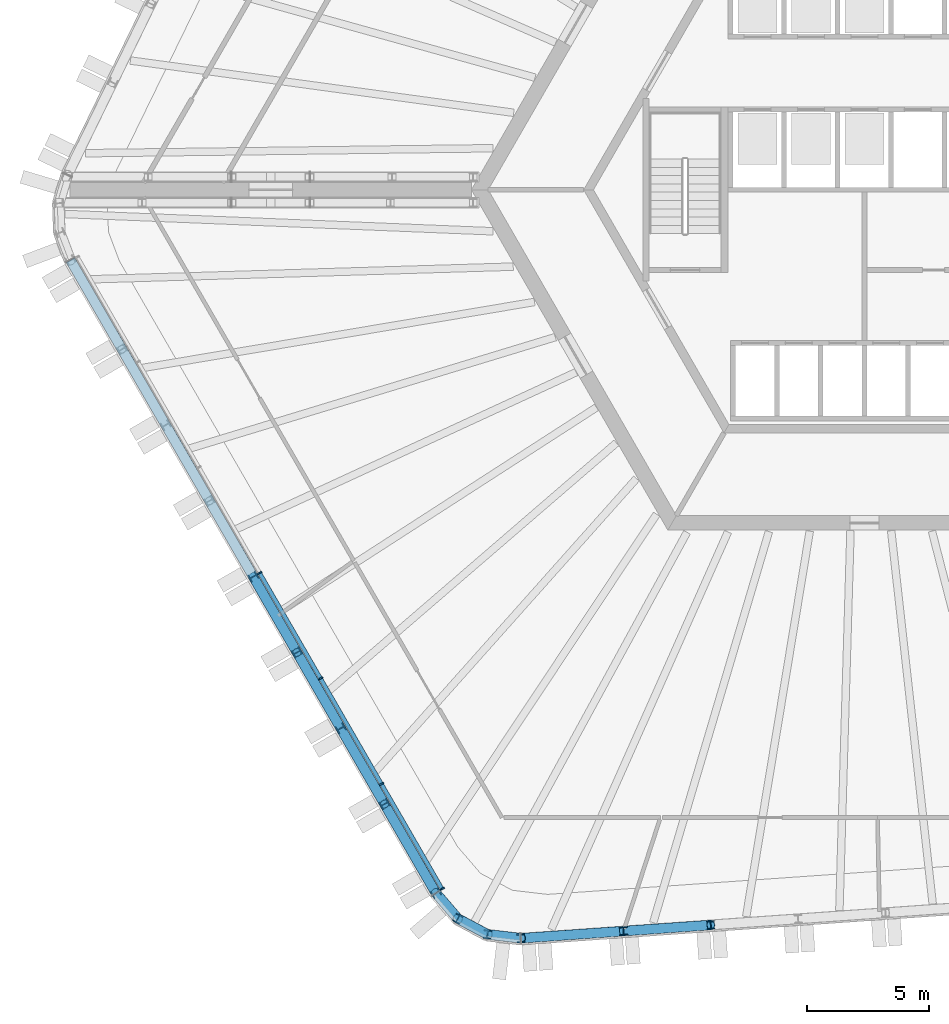
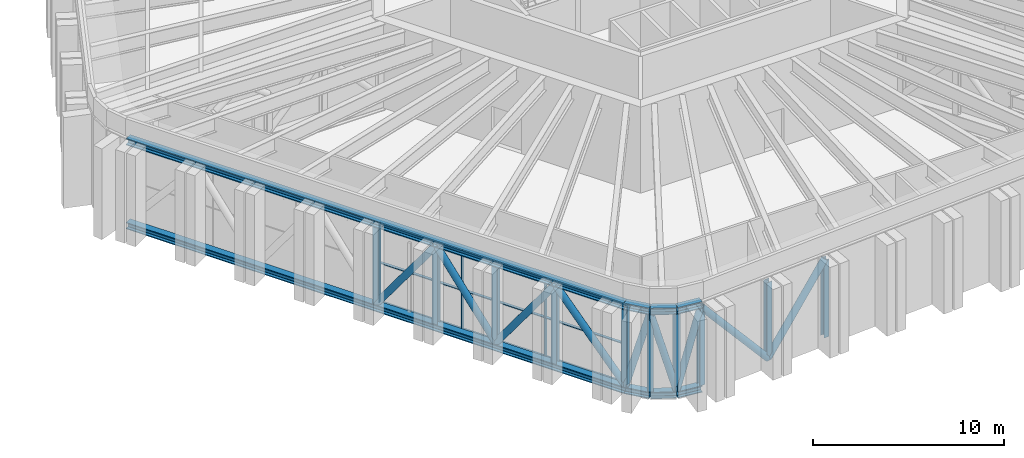
# One storey, part 1 of 27: 40 members, 1 element without a shape of its own.
"""IFC4 building model written with IfcOpenShell, lengths in metres."""

import ifcopenshell
import ifcopenshell.guid

model = None  # the IFC model being written
_history = None  # IfcOwnerHistory: only IFC2X3 demands one
_inside = {}  # id of a spatial element -> (the spatial element, [elements in it])
_under = {}  # id of a project, library or spatial element -> (it, [spatial elements below it])
_declared = {}  # id of a project -> (the project, [libraries it declares])
_typed = {}  # id of a type object -> (the type object, [elements of that type])
_made_of = {}  # id of a material, layer set ... -> (it, [elements and type objects made of it])


def new_model(schema):
    """Start an empty IFC model of exactly this schema.

    Asked for "IFC4X3", IfcOpenShell would pick the latest addendum, in which some entities
    have other attributes; the version numbers below select the first issue.
    IFC2X3 requires an IfcOwnerHistory on every rooted entity: one is made here for all.
    """
    global model, _history
    if schema == "IFC4X3":
        model = ifcopenshell.file(schema_version=(4, 3, 0, 0))
    else:
        model = ifcopenshell.file(schema=schema)
    _inside.clear()
    _under.clear()
    _declared.clear()
    _typed.clear()
    _made_of.clear()
    _history = None
    if model.schema == "IFC2X3":
        org = make("IfcOrganization", Name="unknown")
        user = make(
            "IfcPersonAndOrganization",
            ThePerson=make("IfcPerson", FamilyName="unknown"),
            TheOrganization=org,
        )
        app = make(
            "IfcApplication",
            ApplicationDeveloper=org,
            Version="unknown",
            ApplicationFullName="unknown",
            ApplicationIdentifier="unknown",
        )
        _history = make(
            "IfcOwnerHistory",
            OwningUser=user,
            OwningApplication=app,
            ChangeAction="ADDED",
            CreationDate=0,
        )
    return model


def make(cls, **values):
    """One entity of the class cls with the attributes given. An attribute that is None is left unset."""
    return model.create_entity(
        cls, **{name: value for name, value in values.items() if value is not None}
    )


def rooted(cls, **values):
    """An entity with a GlobalId (a new one), such as an element, a storey or a relation."""
    return make(cls, GlobalId=ifcopenshell.guid.new(), OwnerHistory=_history, **values)


def si_unit(unit_type, name, prefix=None):
    """IfcSIUnit, for example si_unit("LENGTHUNIT", "METRE", prefix="MILLI")."""
    return make("IfcSIUnit", UnitType=unit_type, Prefix=prefix, Name=name)


def assignment(units):
    """IfcUnitAssignment: the units of a project."""
    return None if units is None else make("IfcUnitAssignment", Units=units)


def point(xyz):
    """IfcCartesianPoint."""
    return None if xyz is None else make("IfcCartesianPoint", Coordinates=xyz)


def direction(xyz):
    """IfcDirection."""
    return None if xyz is None else make("IfcDirection", DirectionRatios=xyz)


def frame(location, z_axis=None, x_axis=None):
    """IfcAxis2Placement3D, a coordinate frame: its origin and axes. An axis left out is left unset."""
    return make(
        "IfcAxis2Placement3D",
        Location=point(location),
        Axis=direction(z_axis),
        RefDirection=direction(x_axis),
    )


def frame_2d(location, x_axis=None):
    """IfcAxis2Placement2D, a coordinate frame in the plane: its origin and x axis."""
    return make(
        "IfcAxis2Placement2D", Location=point(location), RefDirection=direction(x_axis)
    )


def origin():
    """The frame at (0, 0, 0) with its axes left unset."""
    return frame((0.0, 0.0, 0.0))


def origin_2d():
    """The frame at (0, 0) in the plane with its x axis left unset."""
    return frame_2d((0.0, 0.0))


def place(relative_to, where):
    """IfcLocalPlacement: puts the frame where relative to a parent placement (None: the world)."""
    return make(
        "IfcLocalPlacement", PlacementRelTo=relative_to, RelativePlacement=where
    )


def context(
    kind, dimensions, precision=None, world=None, true_north=None, identifier=None
):
    """IfcGeometricRepresentationContext, for example the 3D "Model" context."""
    return make(
        "IfcGeometricRepresentationContext",
        ContextIdentifier=identifier,
        ContextType=kind,
        CoordinateSpaceDimension=dimensions,
        Precision=precision,
        WorldCoordinateSystem=world,
        TrueNorth=true_north,
    )


def subcontext(parent, identifier, kind, view, scale=None):
    """IfcGeometricRepresentationSubContext, for example "Body" below "Model"."""
    return make(
        "IfcGeometricRepresentationSubContext",
        ContextIdentifier=identifier,
        ContextType=kind,
        ParentContext=parent,
        TargetScale=scale,
        TargetView=view,
    )


def project(units=None, contexts=None):
    """IfcProject with its units and contexts."""
    return rooted(
        "IfcProject",
        Name="project",
        RepresentationContexts=contexts,
        UnitsInContext=assignment(units),
    )


def spatial(cls, under=None, at=None, **own):
    """A site, building, storey or space (cls), placed at a placement, below another one or the project."""
    s = rooted(cls, ObjectPlacement=at, **own)
    if under is not None:
        _under.setdefault(under.id(), (under, []))[1].append(s)
    return s


def profile(cls, at=None, kind="AREA", **sizes):
    """A parametric profile (cls). Its sizes go by their IFC names, for example OverallWidth=200.0."""
    return make(cls, ProfileType=kind, Position=at, **sizes)


def rectangle(**sizes):
    """IfcRectangleProfileDef."""
    return profile("IfcRectangleProfileDef", **sizes)


def hollow_circle(**sizes):
    """IfcCircleHollowProfileDef."""
    return profile("IfcCircleHollowProfileDef", **sizes)


def i_section(**sizes):
    """IfcIShapeProfileDef."""
    return profile("IfcIShapeProfileDef", **sizes)


def extrude(swept, where, along, depth):
    """IfcExtrudedAreaSolid: the profile swept, set in the frame where, extruded along a direction by depth."""
    return make(
        "IfcExtrudedAreaSolid",
        SweptArea=swept,
        Position=where,
        ExtrudedDirection=direction(along),
        Depth=depth,
    )


def shape(context_of_items, identifier, shape_type, items):
    """IfcShapeRepresentation: the items that make up one representation, for example the "Body"."""
    return make(
        "IfcShapeRepresentation",
        ContextOfItems=context_of_items,
        RepresentationIdentifier=identifier,
        RepresentationType=shape_type,
        Items=items,
    )


def material(Name=None, Category=None):
    """IfcMaterial."""
    return make("IfcMaterial", Name=Name, Category=Category)


def material_profile(
    of_material, cross_section, Name=None, Category=None, Priority=None
):
    """IfcMaterialProfile: a cross section and its material."""
    return make(
        "IfcMaterialProfile",
        Name=Name,
        Material=of_material,
        Profile=cross_section,
        Priority=Priority,
        Category=Category,
    )


def profile_set(profiles, Name=None, composite=None):
    """IfcMaterialProfileSet."""
    return make(
        "IfcMaterialProfileSet",
        Name=Name,
        MaterialProfiles=profiles,
        CompositeProfile=composite,
    )


def made_of(thing, what):
    """Note that an element or type object is made of a material, layer set ...; save() writes the relation."""
    if what is not None:
        _made_of.setdefault(what.id(), (what, []))[1].append(thing)
    return thing


def type_object(cls, material=None, **own):
    """A type object (cls), such as IfcWallType, which elements share."""
    return made_of(rooted(cls, **own), material)


def element(
    cls,
    number,
    at=None,
    inside=None,
    cuts=None,
    type_object=None,
    material=None,
    context=None,
    identifier="Body",
    shape_type=None,
    held_by="IfcProductDefinitionShape",
    body=None,
    shapes=None,
    **own,
):
    """One element of the class cls, such as IfcWall. Its Tag is "e" and its number.

    at: its placement. inside: the storey or other place that contains it. cuts: it is an
    opening in that element (IfcRelVoidsElement). A single representation is given by context,
    identifier, shape_type and body (its items); several are given by shapes. held_by: the class
    of the entity that holds the representations. save() writes the other relations.
    """
    e = rooted(cls, Tag="e%d" % number, ObjectPlacement=at, **own)
    if body is not None:
        shapes = [shape(context, identifier, shape_type, body)]
    if shapes is not None:
        e.Representation = make(held_by, Representations=shapes)
    if inside is not None:
        _inside.setdefault(inside.id(), (inside, []))[1].append(e)
    if cuts is not None:
        rooted(
            "IfcRelVoidsElement", RelatingBuildingElement=cuts, RelatedOpeningElement=e
        )
    if type_object is not None:
        _typed.setdefault(type_object.id(), (type_object, []))[1].append(e)
    return made_of(e, material)


def aggregate(whole, parts):
    """IfcRelAggregates: a whole, such as a stair, and the parts it consists of."""
    return rooted("IfcRelAggregates", RelatingObject=whole, RelatedObjects=parts)


def save(model, path):
    """Write the relations noted so far, then the file.

    IfcRelAggregates (storeys below a building ...), IfcRelContainedInSpatialStructure (elements
    in a storey), IfcRelDefinesByType, IfcRelAssociatesMaterial and IfcRelDeclares: one each for
    every whole, place, type object, material and project.
    """
    for whole, parts in _under.values():
        aggregate(whole, parts)
    for where, things in _inside.values():
        rooted(
            "IfcRelContainedInSpatialStructure",
            RelatedElements=things,
            RelatingStructure=where,
        )
    for kind, things in _typed.values():
        rooted("IfcRelDefinesByType", RelatedObjects=things, RelatingType=kind)
    for what, things in _made_of.values():
        rooted("IfcRelAssociatesMaterial", RelatedObjects=things, RelatingMaterial=what)
    for by, libraries in _declared.values():
        rooted("IfcRelDeclares", RelatingContext=by, RelatedDefinitions=libraries)
    model.write(path)


model = new_model("IFC4")

# Units and contexts
model_context = context("Model", 3, precision=1e-05, world=origin(), true_north=direction((0.0, 1.0)))
body_context = subcontext(model_context, "Body", "Model", "MODEL_VIEW")
ifc_project = project(units=[si_unit("LENGTHUNIT", "METRE"), si_unit("AREAUNIT", "SQUARE_METRE"), si_unit("VOLUMEUNIT", "CUBIC_METRE"), si_unit("PLANEANGLEUNIT", "RADIAN"), si_unit("MASSUNIT", "GRAM", prefix="KILO")], contexts=[model_context])

# Site, building, storey
site_placement = place(None, origin())
site = spatial("IfcSite", under=ifc_project, at=site_placement, CompositionType="ELEMENT")
building_placement = place(site_placement, origin())
building = spatial("IfcBuilding", under=site, at=building_placement, Name="Tarnside Tower", CompositionType="ELEMENT")
storey_placement = place(building_placement, frame((0.0, 0.0, 146.699951171875)))
storey = spatial("IfcBuildingStorey", under=building, at=storey_placement, Name="L34", CompositionType="ELEMENT", Elevation=146.699951171875)

# Curtain wall, members
ifc_material_1 = material(Name="Sky lobby glazing wall", Category="glass")
curtain_wall_type = type_object("IfcCurtainWallType", Name="Sky lobby glazing wall", PredefinedType="NOTDEFINED", material=ifc_material_1)
curtain_wall_placement = place(storey_placement, origin())
curtain_wall = element("IfcCurtainWall", 1, at=curtain_wall_placement, inside=storey, type_object=curtain_wall_type, Name="Sky lobby glazing L34 F3", PredefinedType="NOTDEFINED")
ifc_material_2 = material(Name="Aluminium alloy 6063", Category="aluminium")
ifc_material_profile_1 = material_profile(ifc_material_2, rectangle(XDim=0.199951171875, YDim=0.06005859375, at=origin_2d()), Name="Sky lobby glazing mullion 60 x 200")
ifc_profile_set_1 = profile_set([ifc_material_profile_1], Name="Aluminium alloy 6063")
member_type_1 = type_object("IfcMemberType", Name="Sky lobby glazing mullion 60 x 200", PredefinedType="MULLION", material=ifc_profile_set_1)
member_1_placement = place(storey_placement, frame((-24.8720703125, -15.75830078125, 0.0), z_axis=(0.0, 0.0, 1.0), x_axis=(0.866025403793, 0.499999999985, 0.0)))
member_1 = element("IfcMember", 2, at=member_1_placement, type_object=member_type_1, Name="CW4 mullion 4", PredefinedType="MULLION", context=body_context, shape_type="SweptSolid", body=[
    extrude(rectangle(XDim=0.199951171875, YDim=0.06005859375, at=origin_2d()), origin(), (0.0, 0.0, 1.0), 5.0634765625),
])
member_2_placement = place(storey_placement, frame((-22.365966796875, -20.0986328125, 0.0), z_axis=(0.0, 0.0, 1.0), x_axis=(0.866025403793, 0.499999999985, 0.0)))
member_2 = element("IfcMember", 3, at=member_2_placement, type_object=member_type_1, Name="CW4 mullion 5", PredefinedType="MULLION", context=body_context, shape_type="SweptSolid", body=[
    extrude(rectangle(XDim=0.199951171875, YDim=0.06005859375, at=origin_2d()), origin(), (0.0, 0.0, 1.0), 5.0634765625),
])
member_3_placement = place(storey_placement, frame((-19.860107421875, -24.43896484375, 0.0), z_axis=(0.0, 0.0, 1.0), x_axis=(0.866025403793, 0.499999999985, 0.0)))
member_3 = element("IfcMember", 4, at=member_3_placement, type_object=member_type_1, Name="CW4 mullion 6", PredefinedType="MULLION", context=body_context, shape_type="SweptSolid", body=[
    extrude(rectangle(XDim=0.199951171875, YDim=0.06005859375, at=origin_2d()), origin(), (0.0, 0.0, 1.0), 5.0634765625),
])
member_4_placement = place(storey_placement, frame((-17.369140625, -28.75341796875, 0.0), z_axis=(0.0, 0.0, 1.0), x_axis=(0.866025403793, 0.499999999985, 0.0)))
member_4 = element("IfcMember", 5, at=member_4_placement, type_object=member_type_1, Name="CW4 mullion 7", PredefinedType="MULLION", context=body_context, shape_type="SweptSolid", body=[
    extrude(rectangle(XDim=0.199951171875, YDim=0.06005859375, at=origin_2d()), origin(), (0.0, 0.0, 1.0), 5.0634765625),
])
ifc_material_profile_2 = material_profile(ifc_material_2, rectangle(XDim=0.159912109375, YDim=0.06005859375, at=origin_2d()), Name="Sky lobby glazing transom 60 x 160")
ifc_profile_set_2 = profile_set([ifc_material_profile_2], Name="Aluminium alloy 6063")
member_type_2 = type_object("IfcMemberType", Name="Sky lobby glazing transom 60 x 160", PredefinedType="USERDEFINED", material=ifc_profile_set_2)
member_5_placement = place(storey_placement, frame((-24.85693359375, -15.7841796875, 0.030029296875), z_axis=(0.499972828297, -0.866041090806, 0.0), x_axis=(0.866041090806, 0.499972828297, 0.0)))
member_5 = element("IfcMember", 6, at=member_5_placement, type_object=member_type_2, Name="CW4 transom 4.1", ObjectType="TRANSOM", PredefinedType="USERDEFINED", context=body_context, shape_type="SweptSolid", body=[
    extrude(rectangle(XDim=0.159912109375, YDim=0.06005859375, at=origin_2d()), origin(), (0.0, 0.0, 1.0), 4.951904296875),
])
member_6_placement = place(storey_placement, frame((-24.85693359375, -15.7841796875, 2.53173828125), z_axis=(0.499972828297, -0.866041090806, 0.0), x_axis=(0.866041090806, 0.499972828297, 0.0)))
member_6 = element("IfcMember", 7, at=member_6_placement, type_object=member_type_2, Name="CW4 transom 4.2", ObjectType="TRANSOM", PredefinedType="USERDEFINED", context=body_context, shape_type="SweptSolid", body=[
    extrude(rectangle(XDim=0.159912109375, YDim=0.06005859375, at=origin_2d()), origin(), (0.0, 0.0, 1.0), 4.951904296875),
])
member_7_placement = place(storey_placement, frame((-24.85693359375, -15.7841796875, 5.033447265625), z_axis=(0.499972828297, -0.866041090806, 0.0), x_axis=(0.866041090806, 0.499972828297, 0.0)))
member_7 = element("IfcMember", 8, at=member_7_placement, type_object=member_type_2, Name="CW4 transom 4.3", ObjectType="TRANSOM", PredefinedType="USERDEFINED", context=body_context, shape_type="SweptSolid", body=[
    extrude(rectangle(XDim=0.159912109375, YDim=0.06005859375, at=origin_2d()), origin(), (0.0, 0.0, 1.0), 4.951904296875),
])
member_8_placement = place(storey_placement, frame((-22.35107421875, -20.124755859375, 0.030029296875), z_axis=(0.499994176729, -0.866028765826, 0.0), x_axis=(0.866028765826, 0.499994176729, 0.0)))
member_8 = element("IfcMember", 9, at=member_8_placement, type_object=member_type_2, Name="CW4 transom 5.1", ObjectType="TRANSOM", PredefinedType="USERDEFINED", context=body_context, shape_type="SweptSolid", body=[
    extrude(rectangle(XDim=0.159912109375, YDim=0.06005859375, at=origin_2d()), origin(), (0.0, 0.0, 1.0), 4.95166015625),
])
member_9_placement = place(storey_placement, frame((-22.35107421875, -20.124755859375, 2.53173828125), z_axis=(0.499994176729, -0.866028765826, 0.0), x_axis=(0.866028765826, 0.499994176729, 0.0)))
member_9 = element("IfcMember", 10, at=member_9_placement, type_object=member_type_2, Name="CW4 transom 5.2", ObjectType="TRANSOM", PredefinedType="USERDEFINED", context=body_context, shape_type="SweptSolid", body=[
    extrude(rectangle(XDim=0.159912109375, YDim=0.06005859375, at=origin_2d()), origin(), (0.0, 0.0, 1.0), 4.95166015625),
])
member_10_placement = place(storey_placement, frame((-22.35107421875, -20.124755859375, 5.033447265625), z_axis=(0.499994176729, -0.866028765826, 0.0), x_axis=(0.866028765826, 0.499994176729, 0.0)))
member_10 = element("IfcMember", 11, at=member_10_placement, type_object=member_type_2, Name="CW4 transom 5.3", ObjectType="TRANSOM", PredefinedType="USERDEFINED", context=body_context, shape_type="SweptSolid", body=[
    extrude(rectangle(XDim=0.159912109375, YDim=0.06005859375, at=origin_2d()), origin(), (0.0, 0.0, 1.0), 4.95166015625),
])
member_11_placement = place(storey_placement, frame((-19.84521484375, -24.465087890625, 0.030029296875), z_axis=(0.500001549491, -0.866024509183, 0.0), x_axis=(0.866024509183, 0.500001549491, 0.0)))
member_11 = element("IfcMember", 12, at=member_11_placement, type_object=member_type_2, Name="CW4 transom 6.1", ObjectType="TRANSOM", PredefinedType="USERDEFINED", context=body_context, shape_type="SweptSolid", body=[
    extrude(rectangle(XDim=0.159912109375, YDim=0.06005859375, at=origin_2d()), origin(), (0.0, 0.0, 1.0), 4.921875),
])
member_12_placement = place(storey_placement, frame((-19.84521484375, -24.465087890625, 2.53173828125), z_axis=(0.500001549491, -0.866024509183, 0.0), x_axis=(0.866024509183, 0.500001549491, 0.0)))
member_12 = element("IfcMember", 13, at=member_12_placement, type_object=member_type_2, Name="CW4 transom 6.2", ObjectType="TRANSOM", PredefinedType="USERDEFINED", context=body_context, shape_type="SweptSolid", body=[
    extrude(rectangle(XDim=0.159912109375, YDim=0.06005859375, at=origin_2d()), origin(), (0.0, 0.0, 1.0), 4.921875),
])
member_13_placement = place(storey_placement, frame((-19.84521484375, -24.465087890625, 5.033447265625), z_axis=(0.500001549491, -0.866024509183, 0.0), x_axis=(0.866024509183, 0.500001549491, 0.0)))
member_13 = element("IfcMember", 14, at=member_13_placement, type_object=member_type_2, Name="CW4 transom 6.3", ObjectType="TRANSOM", PredefinedType="USERDEFINED", context=body_context, shape_type="SweptSolid", body=[
    extrude(rectangle(XDim=0.159912109375, YDim=0.06005859375, at=origin_2d()), origin(), (0.0, 0.0, 1.0), 4.921875),
])
aggregate(curtain_wall, [member_1, member_2, member_3, member_4, member_5, member_6, member_7, member_8, member_9, member_10, member_11, member_12, member_13])

# Members
ifc_material_3 = material(Name="Steel S355", Category="steel")
ifc_material_profile_3 = material_profile(ifc_material_3, i_section(OverallWidth=0.406982421875, OverallDepth=0.4189453125, WebThickness=0.030517578125, FlangeThickness=0.04931640625, FilletRadius=0.01513671875, at=origin_2d()), Name="UC 356x406x393")
ifc_profile_set_3 = profile_set([ifc_material_profile_3], Name="Steel S355")
member_type_3 = type_object("IfcMemberType", Name="Truss chord UC 356x406x393", PredefinedType="CHORD", material=ifc_profile_set_3)
member_14_placement = place(storey_placement, frame((-32.65478515625, -2.89013671875, -0.09033203125), z_axis=(0.499994195795, -0.866028754818, 0.0), x_axis=(0.866028754818, 0.499994195795, 0.0)))
element("IfcMember", 15, at=member_14_placement, inside=storey, type_object=member_type_3, Name="Belt truss bottom chord L34 run", PredefinedType="CHORD", context=body_context, shape_type="SweptSolid", body=[
    extrude(i_section(OverallWidth=0.406982421875, OverallDepth=0.4189453125, WebThickness=0.030517578125, FlangeThickness=0.04931640625, FilletRadius=0.01513671875, at=origin_2d()), origin(), (0.0, 0.0, 1.0), 30.071044921875),
])
for number, where, z_axis, x_axis, name in (
    (16, (-17.619384765625, -28.9326171875, -0.09033203125), (0.651709457909, -0.75846870896, 0.0), (0.75846870896, 0.651709457909, 0.0), "Belt truss bottom chord L34 corner3.1"),
    (17, (-16.720703125, -29.978515625, -0.09033203125), (0.882994189209, -0.469383917304, 0.0), (0.469383917304, 0.882994189209, 0.0), "Belt truss bottom chord L34 corner3.2"),
    (18, (-15.503173828125, -30.625732421875, -0.09033203125), (0.993232537394, -0.11614269956, 0.0), (0.11614269956, 0.993232537394, 0.0), "Belt truss bottom chord L34 corner3.3"),
):
    element("IfcMember", number, at=place(storey_placement, frame(where, z_axis=z_axis, x_axis=x_axis)), inside=storey, type_object=member_type_3, Name=name, PredefinedType="CHORD", context=body_context, shape_type="SweptSolid", body=[
        extrude(i_section(OverallWidth=0.406982421875, OverallDepth=0.4189453125, WebThickness=0.030517578125, FlangeThickness=0.04931640625, FilletRadius=0.01513671875, at=origin_2d()), origin(), (0.0, 0.0, 1.0), 1.37890625),
    ])
ifc_material_4 = material(Name="Steel S460", Category="steel")
ifc_material_profile_4 = material_profile(ifc_material_4, i_section(OverallWidth=0.412109375, OverallDepth=0.4365234375, WebThickness=0.035888671875, FlangeThickness=0.05810546875, FilletRadius=0.01513671875, at=origin_2d()), Name="UC 356x406x467")
ifc_profile_set_4 = profile_set([ifc_material_profile_4], Name="Steel S460")
member_type_4 = type_object("IfcMemberType", Name="Truss chord UC 356x406x467", PredefinedType="CHORD", material=ifc_profile_set_4)
member_15_placement = place(storey_placement, frame((-32.65478515625, -2.89013671875, 5.28173828125), z_axis=(0.499994195795, -0.866028754818, 0.0), x_axis=(0.866028754818, 0.499994195795, 0.0)))
element("IfcMember", 19, at=member_15_placement, inside=storey, type_object=member_type_4, Name="Belt truss top chord L34 run", PredefinedType="CHORD", context=body_context, shape_type="SweptSolid", body=[
    extrude(i_section(OverallWidth=0.412109375, OverallDepth=0.4365234375, WebThickness=0.035888671875, FlangeThickness=0.05810546875, FilletRadius=0.01513671875, at=origin_2d()), origin(), (0.0, 0.0, 1.0), 30.071044921875),
])
for number, where, z_axis, x_axis, name in (
    (20, (-17.619384765625, -28.9326171875, 5.28173828125), (0.651709457909, -0.75846870896, 0.0), (0.75846870896, 0.651709457909, 0.0), "Belt truss top chord L34 corner3.1"),
    (21, (-16.720703125, -29.978515625, 5.28173828125), (0.882994189209, -0.469383917304, 0.0), (0.469383917304, 0.882994189209, 0.0), "Belt truss top chord L34 corner3.2"),
    (22, (-15.503173828125, -30.625732421875, 5.28173828125), (0.993232537394, -0.11614269956, 0.0), (0.11614269956, 0.993232537394, 0.0), "Belt truss top chord L34 corner3.3"),
):
    element("IfcMember", number, at=place(storey_placement, frame(where, z_axis=z_axis, x_axis=x_axis)), inside=storey, type_object=member_type_4, Name=name, PredefinedType="CHORD", context=body_context, shape_type="SweptSolid", body=[
        extrude(i_section(OverallWidth=0.412109375, OverallDepth=0.4365234375, WebThickness=0.035888671875, FlangeThickness=0.05810546875, FilletRadius=0.01513671875, at=origin_2d()), origin(), (0.0, 0.0, 1.0), 1.37890625),
    ])
ifc_material_profile_5 = material_profile(ifc_material_3, hollow_circle(Radius=0.203125, WallThickness=0.01611328125, at=origin_2d()), Name="CHS 406.4x16")
ifc_profile_set_5 = profile_set([ifc_material_profile_5], Name="Steel S355")
member_type_5 = type_object("IfcMemberType", Name="Truss diagonal CHS 406.4x16", PredefinedType="BRACE", material=ifc_profile_set_5)
for number, where, z_axis, x_axis, name in (
    (23, (-25.13720703125, -15.911376953125, 0.119140625), (0.294313741712, -0.509749963605, 0.808414742594), (0.866018442252, 0.500012057535, 0.0), "Belt truss diagonal L34 27"),
    (24, (-23.337158203125, -19.029052734375, 5.0634765625), (0.294313741712, -0.509749963605, -0.808414742594), (0.866018442252, 0.500012057535, 0.0), "Belt truss diagonal L34 28"),
    (25, (-21.537109375, -22.146728515625, 0.119140625), (0.294313741712, -0.509749963605, 0.808414742594), (0.866018442252, 0.500012057535, 0.0), "Belt truss diagonal L34 29"),
):
    element("IfcMember", number, at=place(storey_placement, frame(where, z_axis=z_axis, x_axis=x_axis)), inside=storey, type_object=member_type_5, Name=name, PredefinedType="BRACE", context=body_context, shape_type="SweptSolid", body=[
        extrude(hollow_circle(Radius=0.203125, WallThickness=0.01611328125, at=origin_2d()), origin(), (0.0, 0.0, 1.0), 6.115966796875),
    ])
member_16_placement = place(storey_placement, frame((-19.737060546875, -25.264404296875, 5.0634765625), z_axis=(0.325270130006, -0.563429064254, -0.759438629568), x_axis=(0.866042569868, 0.499970266292, 0.0)))
element("IfcMember", 26, at=member_16_placement, inside=storey, type_object=member_type_5, Name="Belt truss diagonal L34 30", PredefinedType="BRACE", context=body_context, shape_type="SweptSolid", body=[
    extrude(hollow_circle(Radius=0.203125, WallThickness=0.01611328125, at=origin_2d()), origin(), (0.0, 0.0, 1.0), 6.510498046875),
])
for number, where, z_axis, x_axis, name in (
    (27, (-17.619384765625, -28.9326171875, 0.119140625), (0.175078220475, -0.203758515761, 0.963239370027), (0.75846870896, 0.651709457909, 0.0), "Belt truss diagonal L34 31"),
    (28, (-16.720703125, -29.978515625, 5.0634765625), (0.237196272027, -0.126089295597, -0.963244215177), (0.469383917304, 0.882994189209, 0.0), "Belt truss diagonal L34 32"),
    (29, (-15.503173828125, -30.625732421875, 0.119140625), (0.266826622048, -0.031201116589, 0.963239349326), (0.11614269956, 0.993232537394, 0.0), "Belt truss diagonal L34 33"),
):
    element("IfcMember", number, at=place(storey_placement, frame(where, z_axis=z_axis, x_axis=x_axis)), inside=storey, type_object=member_type_5, Name=name, PredefinedType="BRACE", context=body_context, shape_type="SweptSolid", body=[
        extrude(hollow_circle(Radius=0.203125, WallThickness=0.01611328125, at=origin_2d()), origin(), (0.0, 0.0, 1.0), 5.133056640625),
    ])
member_17_placement = place(storey_placement, frame((-14.133544921875, -30.785888671875, 5.0634765625), z_axis=(0.648999384413, 0.045374083038, -0.759434652633), x_axis=(-0.069743663524, 0.997564945955, 0.0)))
element("IfcMember", 30, at=member_17_placement, inside=storey, type_object=member_type_5, Name="Belt truss diagonal L34 34", PredefinedType="BRACE", context=body_context, shape_type="SweptSolid", body=[
    extrude(hollow_circle(Radius=0.203125, WallThickness=0.01611328125, at=origin_2d()), origin(), (0.0, 0.0, 1.0), 6.510498046875),
])
member_18_placement = place(storey_placement, frame((-9.908203125, -30.490478515625, 0.119140625), z_axis=(0.587160119046, 0.041076059725, 0.808427950976), x_axis=(-0.06978660948, 0.997561942506, 0.0)))
element("IfcMember", 31, at=member_18_placement, inside=storey, type_object=member_type_5, Name="Belt truss diagonal L34 35", PredefinedType="BRACE", context=body_context, shape_type="SweptSolid", body=[
    extrude(hollow_circle(Radius=0.203125, WallThickness=0.01611328125, at=origin_2d()), origin(), (0.0, 0.0, 1.0), 6.115966796875),
])
ifc_material_profile_6 = material_profile(ifc_material_3, i_section(OverallWidth=0.314453125, OverallDepth=0.33984375, WebThickness=0.01904296875, FlangeThickness=0.031494140625, FilletRadius=0.01513671875, at=origin_2d()), Name="UC 305x305x198")
ifc_profile_set_6 = profile_set([ifc_material_profile_6], Name="Steel S355")
member_type_6 = type_object("IfcMemberType", Name="Truss post UC 305x305x198", PredefinedType="POST", material=ifc_profile_set_6)
for number, where, z_axis, x_axis, name in (
    (32, (-25.13720703125, -15.911376953125, 0.119140625), (0.0, 0.0, 1.0), (0.5, -0.866025403784, 0.0), "Belt truss post L34 27"),
    (33, (-23.337158203125, -19.029052734375, 0.119140625), (0.0, 0.0, 1.0), (0.5, -0.866025403784, 0.0), "Belt truss post L34 28"),
    (34, (-21.537109375, -22.146728515625, 0.119140625), (0.0, 0.0, 1.0), (0.5, -0.866025403784, 0.0), "Belt truss post L34 29"),
    (35, (-19.737060546875, -25.264404296875, 0.119140625), (0.0, 0.0, 1.0), (0.5, -0.866025403784, 0.0), "Belt truss post L34 30"),
    (36, (-17.619384765625, -28.9326171875, 0.119140625), (0.0, 0.0, 1.0), (0.5, -0.866025403784, 0.0), "Belt truss post L34 31"),
    (37, (-16.720703125, -29.978515625, 0.119140625), (0.0, 0.0, 1.0), (0.882947592859, -0.469471562786, 0.0), "Belt truss post L34 32"),
    (38, (-15.503173828125, -30.625732421875, 0.119140625), (0.0, 0.0, 1.0), (0.993238357741, -0.116092914131, 0.0), "Belt truss post L34 33"),
    (39, (-14.133544921875, -30.785888671875, 0.119140625), (0.0, 0.0, 1.0), (0.99756405026, 0.069756473744, 0.0), "Belt truss post L34 34"),
    (40, (-9.908203125, -30.490478515625, 0.119140625), (0.0, 0.0, 1.0), (0.99756405026, 0.069756473744, 0.0), "Belt truss post L34 35"),
    (41, (-6.317138671875, -30.2392578125, 0.119140625), (0.0, 0.0, 1.0), (0.99756405026, 0.069756473744, 0.0), "Belt truss post L34 36"),
):
    element("IfcMember", number, at=place(storey_placement, frame(where, z_axis=z_axis, x_axis=x_axis)), inside=storey, type_object=member_type_6, Name=name, PredefinedType="POST", context=body_context, shape_type="SweptSolid", body=[
        extrude(i_section(OverallWidth=0.314453125, OverallDepth=0.33984375, WebThickness=0.01904296875, FlangeThickness=0.031494140625, FilletRadius=0.01513671875, at=origin_2d()), origin(), (0.0, 0.0, 1.0), 4.9443359375),
    ])

save(model, "model.ifc")
